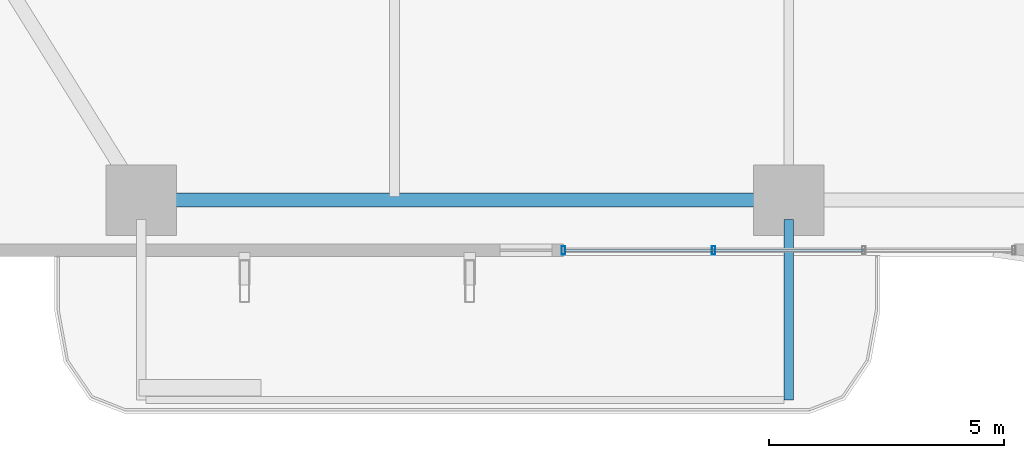
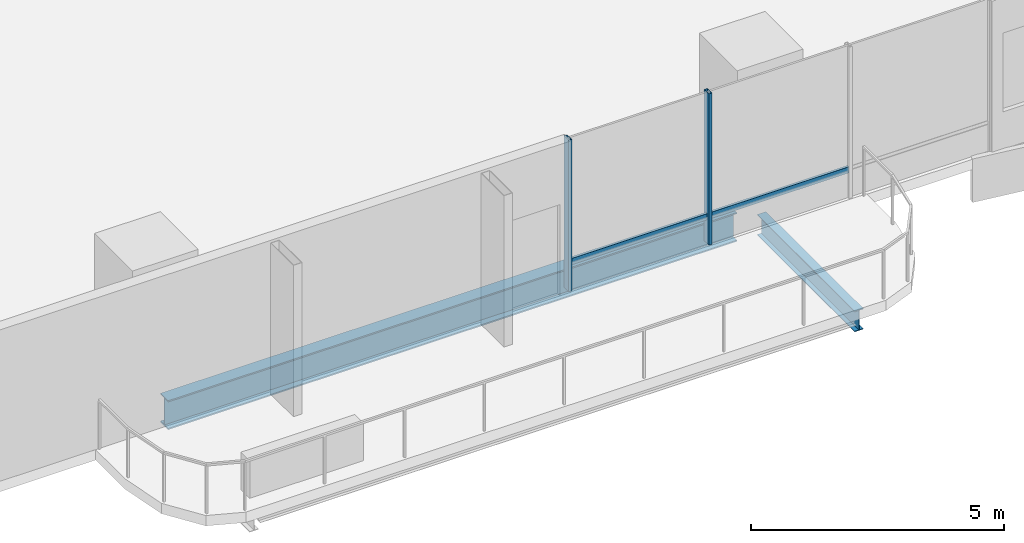
# One storey, part 2 of 23: 4 members, 2 beams, 1 element without a shape of its own.
"""IFC4 building model written with IfcOpenShell, lengths in metres."""

import ifcopenshell
import ifcopenshell.guid

model = None  # the IFC model being written
_history = None  # IfcOwnerHistory: only IFC2X3 demands one
_inside = {}  # id of a spatial element -> (the spatial element, [elements in it])
_under = {}  # id of a project, library or spatial element -> (it, [spatial elements below it])
_declared = {}  # id of a project -> (the project, [libraries it declares])
_typed = {}  # id of a type object -> (the type object, [elements of that type])
_made_of = {}  # id of a material, layer set ... -> (it, [elements and type objects made of it])


def new_model(schema):
    """Start an empty IFC model of exactly this schema.

    Asked for "IFC4X3", IfcOpenShell would pick the latest addendum, in which some entities
    have other attributes; the version numbers below select the first issue.
    IFC2X3 requires an IfcOwnerHistory on every rooted entity: one is made here for all.
    """
    global model, _history
    if schema == "IFC4X3":
        model = ifcopenshell.file(schema_version=(4, 3, 0, 0))
    else:
        model = ifcopenshell.file(schema=schema)
    _inside.clear()
    _under.clear()
    _declared.clear()
    _typed.clear()
    _made_of.clear()
    _history = None
    if model.schema == "IFC2X3":
        org = make("IfcOrganization", Name="unknown")
        user = make(
            "IfcPersonAndOrganization",
            ThePerson=make("IfcPerson", FamilyName="unknown"),
            TheOrganization=org,
        )
        app = make(
            "IfcApplication",
            ApplicationDeveloper=org,
            Version="unknown",
            ApplicationFullName="unknown",
            ApplicationIdentifier="unknown",
        )
        _history = make(
            "IfcOwnerHistory",
            OwningUser=user,
            OwningApplication=app,
            ChangeAction="ADDED",
            CreationDate=0,
        )
    return model


def make(cls, **values):
    """One entity of the class cls with the attributes given. An attribute that is None is left unset."""
    return model.create_entity(
        cls, **{name: value for name, value in values.items() if value is not None}
    )


def rooted(cls, **values):
    """An entity with a GlobalId (a new one), such as an element, a storey or a relation."""
    return make(cls, GlobalId=ifcopenshell.guid.new(), OwnerHistory=_history, **values)


def si_unit(unit_type, name, prefix=None):
    """IfcSIUnit, for example si_unit("LENGTHUNIT", "METRE", prefix="MILLI")."""
    return make("IfcSIUnit", UnitType=unit_type, Prefix=prefix, Name=name)


def assignment(units):
    """IfcUnitAssignment: the units of a project."""
    return None if units is None else make("IfcUnitAssignment", Units=units)


def point(xyz):
    """IfcCartesianPoint."""
    return None if xyz is None else make("IfcCartesianPoint", Coordinates=xyz)


def direction(xyz):
    """IfcDirection."""
    return None if xyz is None else make("IfcDirection", DirectionRatios=xyz)


def frame(location, z_axis=None, x_axis=None):
    """IfcAxis2Placement3D, a coordinate frame: its origin and axes. An axis left out is left unset."""
    return make(
        "IfcAxis2Placement3D",
        Location=point(location),
        Axis=direction(z_axis),
        RefDirection=direction(x_axis),
    )


def frame_2d(location, x_axis=None):
    """IfcAxis2Placement2D, a coordinate frame in the plane: its origin and x axis."""
    return make(
        "IfcAxis2Placement2D", Location=point(location), RefDirection=direction(x_axis)
    )


def origin():
    """The frame at (0, 0, 0) with its axes left unset."""
    return frame((0.0, 0.0, 0.0))


def origin_2d():
    """The frame at (0, 0) in the plane with its x axis left unset."""
    return frame_2d((0.0, 0.0))


def place(relative_to, where):
    """IfcLocalPlacement: puts the frame where relative to a parent placement (None: the world)."""
    return make(
        "IfcLocalPlacement", PlacementRelTo=relative_to, RelativePlacement=where
    )


def context(
    kind, dimensions, precision=None, world=None, true_north=None, identifier=None
):
    """IfcGeometricRepresentationContext, for example the 3D "Model" context."""
    return make(
        "IfcGeometricRepresentationContext",
        ContextIdentifier=identifier,
        ContextType=kind,
        CoordinateSpaceDimension=dimensions,
        Precision=precision,
        WorldCoordinateSystem=world,
        TrueNorth=true_north,
    )


def subcontext(parent, identifier, kind, view, scale=None):
    """IfcGeometricRepresentationSubContext, for example "Body" below "Model"."""
    return make(
        "IfcGeometricRepresentationSubContext",
        ContextIdentifier=identifier,
        ContextType=kind,
        ParentContext=parent,
        TargetScale=scale,
        TargetView=view,
    )


def project(units=None, contexts=None):
    """IfcProject with its units and contexts."""
    return rooted(
        "IfcProject",
        Name="project",
        RepresentationContexts=contexts,
        UnitsInContext=assignment(units),
    )


def spatial(cls, under=None, at=None, **own):
    """A site, building, storey or space (cls), placed at a placement, below another one or the project."""
    s = rooted(cls, ObjectPlacement=at, **own)
    if under is not None:
        _under.setdefault(under.id(), (under, []))[1].append(s)
    return s


def profile(cls, at=None, kind="AREA", **sizes):
    """A parametric profile (cls). Its sizes go by their IFC names, for example OverallWidth=200.0."""
    return make(cls, ProfileType=kind, Position=at, **sizes)


def hollow_rectangle(**sizes):
    """IfcRectangleHollowProfileDef."""
    return profile("IfcRectangleHollowProfileDef", **sizes)


def i_section(**sizes):
    """IfcIShapeProfileDef."""
    return profile("IfcIShapeProfileDef", **sizes)


def extrude(swept, where, along, depth):
    """IfcExtrudedAreaSolid: the profile swept, set in the frame where, extruded along a direction by depth."""
    return make(
        "IfcExtrudedAreaSolid",
        SweptArea=swept,
        Position=where,
        ExtrudedDirection=direction(along),
        Depth=depth,
    )


def shape(context_of_items, identifier, shape_type, items):
    """IfcShapeRepresentation: the items that make up one representation, for example the "Body"."""
    return make(
        "IfcShapeRepresentation",
        ContextOfItems=context_of_items,
        RepresentationIdentifier=identifier,
        RepresentationType=shape_type,
        Items=items,
    )


def material(Name=None, Category=None):
    """IfcMaterial."""
    return make("IfcMaterial", Name=Name, Category=Category)


def layer(
    of_material, thickness, ventilated=None, Name=None, Category=None, Priority=None
):
    """IfcMaterialLayer: one layer of a wall or slab, of a material (None: an air gap)."""
    return make(
        "IfcMaterialLayer",
        Material=of_material,
        LayerThickness=thickness,
        IsVentilated=ventilated,
        Name=Name,
        Category=Category,
        Priority=Priority,
    )


def layer_set(layers, Name=None):
    """IfcMaterialLayerSet."""
    return make("IfcMaterialLayerSet", MaterialLayers=layers, LayerSetName=Name)


def material_profile(
    of_material, cross_section, Name=None, Category=None, Priority=None
):
    """IfcMaterialProfile: a cross section and its material."""
    return make(
        "IfcMaterialProfile",
        Name=Name,
        Material=of_material,
        Profile=cross_section,
        Priority=Priority,
        Category=Category,
    )


def profile_set(profiles, Name=None, composite=None):
    """IfcMaterialProfileSet."""
    return make(
        "IfcMaterialProfileSet",
        Name=Name,
        MaterialProfiles=profiles,
        CompositeProfile=composite,
    )


def made_of(thing, what):
    """Note that an element or type object is made of a material, layer set ...; save() writes the relation."""
    if what is not None:
        _made_of.setdefault(what.id(), (what, []))[1].append(thing)
    return thing


def type_object(cls, material=None, **own):
    """A type object (cls), such as IfcWallType, which elements share."""
    return made_of(rooted(cls, **own), material)


def element(
    cls,
    number,
    at=None,
    inside=None,
    cuts=None,
    type_object=None,
    material=None,
    context=None,
    identifier="Body",
    shape_type=None,
    held_by="IfcProductDefinitionShape",
    body=None,
    shapes=None,
    **own,
):
    """One element of the class cls, such as IfcWall. Its Tag is "e" and its number.

    at: its placement. inside: the storey or other place that contains it. cuts: it is an
    opening in that element (IfcRelVoidsElement). A single representation is given by context,
    identifier, shape_type and body (its items); several are given by shapes. held_by: the class
    of the entity that holds the representations. save() writes the other relations.
    """
    e = rooted(cls, Tag="e%d" % number, ObjectPlacement=at, **own)
    if body is not None:
        shapes = [shape(context, identifier, shape_type, body)]
    if shapes is not None:
        e.Representation = make(held_by, Representations=shapes)
    if inside is not None:
        _inside.setdefault(inside.id(), (inside, []))[1].append(e)
    if cuts is not None:
        rooted(
            "IfcRelVoidsElement", RelatingBuildingElement=cuts, RelatedOpeningElement=e
        )
    if type_object is not None:
        _typed.setdefault(type_object.id(), (type_object, []))[1].append(e)
    return made_of(e, material)


def aggregate(whole, parts):
    """IfcRelAggregates: a whole, such as a stair, and the parts it consists of."""
    return rooted("IfcRelAggregates", RelatingObject=whole, RelatedObjects=parts)


def save(model, path):
    """Write the relations noted so far, then the file.

    IfcRelAggregates (storeys below a building ...), IfcRelContainedInSpatialStructure (elements
    in a storey), IfcRelDefinesByType, IfcRelAssociatesMaterial and IfcRelDeclares: one each for
    every whole, place, type object, material and project.
    """
    for whole, parts in _under.values():
        aggregate(whole, parts)
    for where, things in _inside.values():
        rooted(
            "IfcRelContainedInSpatialStructure",
            RelatedElements=things,
            RelatingStructure=where,
        )
    for kind, things in _typed.values():
        rooted("IfcRelDefinesByType", RelatedObjects=things, RelatingType=kind)
    for what, things in _made_of.values():
        rooted("IfcRelAssociatesMaterial", RelatedObjects=things, RelatingMaterial=what)
    for by, libraries in _declared.values():
        rooted("IfcRelDeclares", RelatingContext=by, RelatedDefinitions=libraries)
    model.write(path)


model = new_model("IFC4")

# Units and contexts
model_context = context("Model", 3, precision=1e-05, world=origin(), true_north=direction((0.0, 1.0)))
body_context = subcontext(model_context, "Body", "Model", "MODEL_VIEW")
ifc_project = project(units=[si_unit("LENGTHUNIT", "METRE"), si_unit("AREAUNIT", "SQUARE_METRE"), si_unit("VOLUMEUNIT", "CUBIC_METRE"), si_unit("PLANEANGLEUNIT", "RADIAN"), si_unit("MASSUNIT", "GRAM", prefix="KILO")], contexts=[model_context])

# Site, building, storey
site_placement = place(None, origin())
site = spatial("IfcSite", under=ifc_project, at=site_placement, CompositionType="ELEMENT")
building_placement = place(site_placement, origin())
building = spatial("IfcBuilding", under=site, at=building_placement, Name="Belovzor Exchange Tower", CompositionType="ELEMENT")
storey_placement = place(building_placement, frame((0.0, 0.0, 100.199951171875)))
storey = spatial("IfcBuildingStorey", under=building, at=storey_placement, Name="L24", CompositionType="ELEMENT", Elevation=100.199951171875)

# Beam
ifc_material_1 = material(Name="Steel S355", Category="steel")
ifc_material_profile_1 = material_profile(ifc_material_1, i_section(OverallWidth=0.199951171875, OverallDepth=0.5, WebThickness=0.01025390625, FlangeThickness=0.01611328125, at=origin_2d()))
ifc_profile_set_1 = profile_set([ifc_material_profile_1], Name="Steel S355")
beam_type_1 = type_object("IfcBeamType", Name="Planted Balcony Cantilever Beam IPE 500", PredefinedType="BEAM", material=ifc_profile_set_1)
beam_1_placement = place(storey_placement, frame((28.800048828125, 1.68798828125, -0.5), z_axis=(0.0, -1.0, 0.0), x_axis=(1.0, 0.0, 0.0)))
element("IfcBeam", 1, at=beam_1_placement, inside=storey, type_object=beam_type_1, Name="BC-500 Planted Balcony Cantilever Beam IPE 500", PredefinedType="BEAM", context=body_context, shape_type="SweptSolid", body=[
    extrude(i_section(OverallWidth=0.199951171875, OverallDepth=0.5, WebThickness=0.01025390625, FlangeThickness=0.01611328125, at=origin_2d()), origin(), (0.0, 0.0, 1.0), 3.85009765625),
])

# Curtain wall, members
ifc_material_2 = material(Name="Anodised Aluminium Framing", Category="aluminium")
ifc_layer = layer(ifc_material_2, 0.179931640625)
ifc_layer_set = layer_set([ifc_layer], Name="Anodised Aluminium Framing")
curtain_wall_type = type_object("IfcCurtainWallType", Name="Recessed Loggia Low-Iron Triple-Glazed Curtain Wall", PredefinedType="NOTDEFINED", material=ifc_layer_set)
curtain_wall_placement = place(storey_placement, origin())
curtain_wall = element("IfcCurtainWall", 2, at=curtain_wall_placement, inside=storey, type_object=curtain_wall_type, Name="CW3 Recessed Loggia Low-Iron Triple-Glazed Curtain Wall L24", PredefinedType="NOTDEFINED")
ifc_material_3 = material(Name="Steel S355", Category="steel")
ifc_material_profile_2 = material_profile(ifc_material_3, hollow_rectangle(XDim=0.074951171875, YDim=0.179931640625, WallThickness=0.0048828125, at=origin_2d()))
ifc_profile_set_2 = profile_set([ifc_material_profile_2], Name="Steel S355")
member_type_1 = type_object("IfcMemberType", Name="Thermally Broken Curtain Wall Mullion 180x75", PredefinedType="MULLION", material=ifc_profile_set_2)
member_1_placement = place(storey_placement, frame((27.199951171875, 1.030029296875, 0.0), z_axis=(0.0, 0.0, 1.0), x_axis=(-1.0, 0.0, 0.0)))
member_1 = element("IfcMember", 3, at=member_1_placement, type_object=member_type_1, Name="CW-M180 Curtain Wall Mullion 3", PredefinedType="MULLION", context=body_context, shape_type="SweptSolid", body=[
    extrude(hollow_rectangle(XDim=0.074951171875, YDim=0.179931640625, WallThickness=0.0048828125, at=origin_2d()), origin(), (0.0, 0.0, 1.0), 3.650146484375),
])
member_2_placement = place(storey_placement, frame((24.0, 1.030029296875, 0.0), z_axis=(0.0, 0.0, 1.0), x_axis=(-1.0, 0.0, 0.0)))
member_2 = element("IfcMember", 4, at=member_2_placement, type_object=member_type_1, Name="CW-M180 Curtain Wall Mullion 4", PredefinedType="MULLION", context=body_context, shape_type="SweptSolid", body=[
    extrude(hollow_rectangle(XDim=0.074951171875, YDim=0.179931640625, WallThickness=0.0048828125, at=origin_2d()), origin(), (0.0, 0.0, 1.0), 3.650146484375),
])
ifc_material_4 = material(Name="Steel S355", Category="steel")
ifc_material_profile_3 = material_profile(ifc_material_4, hollow_rectangle(XDim=0.06005859375, YDim=0.14990234375, WallThickness=0.00390625, at=origin_2d()))
ifc_profile_set_3 = profile_set([ifc_material_profile_3], Name="Steel S355")
member_type_2 = type_object("IfcMemberType", Name="Thermally Broken Curtain Wall Transom 150x60", PredefinedType="USERDEFINED", material=ifc_profile_set_3)
member_3_placement = place(storey_placement, frame((30.39208984375, 1.030029296875, 0.650146484375), z_axis=(-1.0, 0.0, 0.0), x_axis=(0.0, -1.0, 0.0)))
member_3 = element("IfcMember", 5, at=member_3_placement, type_object=member_type_2, Name="CW-T150 Curtain Wall Transom 2", ObjectType="TRANSOM", PredefinedType="USERDEFINED", context=body_context, shape_type="SweptSolid", body=[
    extrude(hollow_rectangle(XDim=0.06005859375, YDim=0.14990234375, WallThickness=0.00390625, at=origin_2d()), origin(), (0.0, 0.0, 1.0), 3.18408203125),
])
member_4_placement = place(storey_placement, frame((27.19189453125, 1.030029296875, 0.650146484375), z_axis=(-1.0, 0.0, 0.0), x_axis=(0.0, -1.0, 0.0)))
member_4 = element("IfcMember", 6, at=member_4_placement, type_object=member_type_2, Name="CW-T150 Curtain Wall Transom 3", ObjectType="TRANSOM", PredefinedType="USERDEFINED", context=body_context, shape_type="SweptSolid", body=[
    extrude(hollow_rectangle(XDim=0.06005859375, YDim=0.14990234375, WallThickness=0.00390625, at=origin_2d()), origin(), (0.0, 0.0, 1.0), 3.183837890625),
])
aggregate(curtain_wall, [member_1, member_2, member_3, member_4])

# Beam
ifc_material_5 = material(Name="Steel S355", Category="steel")
ifc_material_profile_4 = material_profile(ifc_material_5, i_section(OverallWidth=0.300048828125, OverallDepth=0.699951171875, WebThickness=0.01708984375, FlangeThickness=0.031982421875, at=origin_2d()))
ifc_profile_set_4 = profile_set([ifc_material_profile_4], Name="Steel S355")
beam_type_2 = type_object("IfcBeamType", Name="Zone 1 Primary Perimeter Girder HEB 700", PredefinedType="BEAM", material=ifc_profile_set_4)
beam_2_placement = place(storey_placement, frame((15.412109375, 2.10009765625, -0.599853515625), z_axis=(1.0, 0.0, 0.0), x_axis=(0.0, 1.0, 0.0)))
element("IfcBeam", 7, at=beam_2_placement, inside=storey, type_object=beam_type_2, Name="FG-Z1 Zone 1 Primary Perimeter Girder HEB 700", PredefinedType="BEAM", context=body_context, shape_type="SweptSolid", body=[
    extrude(i_section(OverallWidth=0.300048828125, OverallDepth=0.699951171875, WebThickness=0.01708984375, FlangeThickness=0.031982421875, at=origin_2d()), origin(), (0.0, 0.0, 1.0), 12.974853515625),
])

save(model, "model.ifc")
